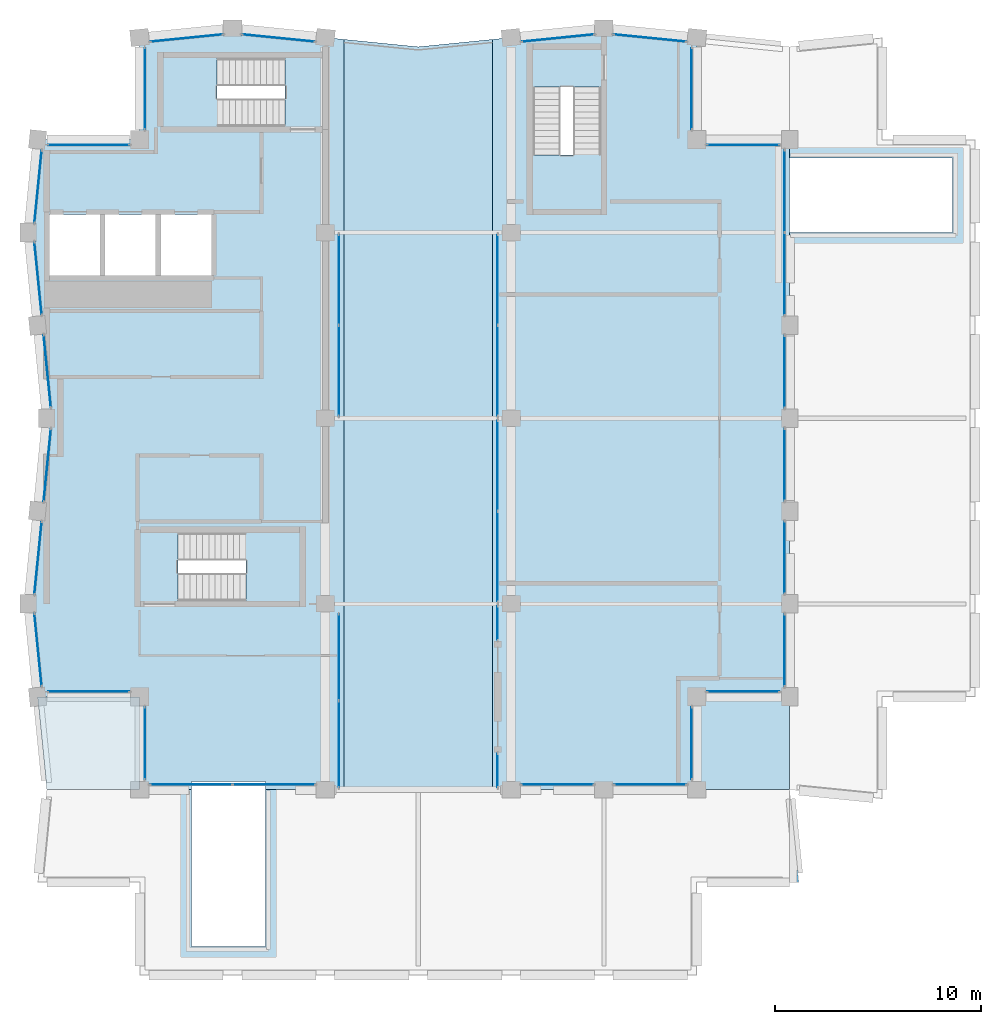
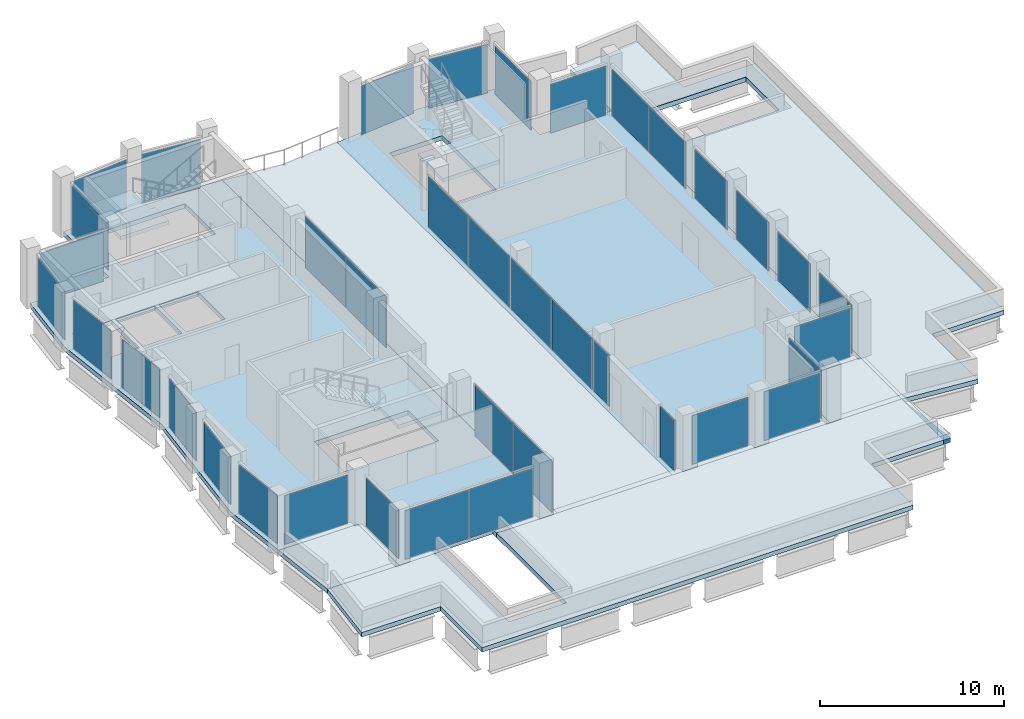
# One storey, part 10 of 14: 38 plates, 11 slabs, 35 elements without a shape of their own.
"""IFC4 building model written with IfcOpenShell, lengths in metres."""

from ifc_helpers import new_model, si_unit, direction, frame, origin, origin_2d, place, context, subcontext, project, spatial, polyline, rectangle, outline, extrude, material, layer, layer_set, type_object, element, aggregate, save


model = new_model("IFC4")

# Units and contexts
model_context = context("Model", 3, precision=1e-05, world=origin(), true_north=direction((0.0, 1.0)))
body_context = subcontext(model_context, "Body", "Model", "MODEL_VIEW")
ifc_project = project(units=[si_unit("LENGTHUNIT", "METRE"), si_unit("AREAUNIT", "SQUARE_METRE"), si_unit("VOLUMEUNIT", "CUBIC_METRE"), si_unit("PLANEANGLEUNIT", "RADIAN"), si_unit("MASSUNIT", "GRAM", prefix="KILO")], contexts=[model_context])

# Site, building, storey
site_placement = place(None, origin())
site = spatial("IfcSite", under=ifc_project, at=site_placement, CompositionType="ELEMENT")
building_placement = place(site_placement, origin())
building = spatial("IfcBuilding", under=site, at=building_placement, Name="Brondeck Convention Tower", CompositionType="ELEMENT")
storey_placement = place(building_placement, frame((0.0, 0.0, 282.800048828125)))
storey = spatial("IfcBuildingStorey", under=building, at=storey_placement, Name="L70", CompositionType="ELEMENT", Elevation=282.800048828125)

# Curtain wall, plate
ifc_material_1 = material(Name="Aluminium, bronze anodised", Category="aluminium")
curtain_wall_type = type_object("IfcCurtainWallType", Name="Crown screen curtain wall", PredefinedType="NOTDEFINED", material=ifc_material_1)
curtain_wall_1_placement = place(storey_placement, origin())
curtain_wall_1 = element("IfcCurtainWall", 1, at=curtain_wall_1_placement, inside=storey, type_object=curtain_wall_type, Name="ENV-CW4-L70-K2-SLOT-E-07-1a", PredefinedType="NOTDEFINED")
ifc_material_2 = material(Name="Bronze tinted laminated glass", Category="glass")
ifc_layer_1 = layer(ifc_material_2, 0.007080078125, Name="Outer pane")
ifc_material_3 = material(Name="Argon-filled cavity")
ifc_layer_2 = layer(ifc_material_3, 0.011962890625, Name="Cavity")
ifc_material_4 = material(Name="Clear low-emissivity glass", Category="glass")
ifc_layer_3 = layer(ifc_material_4, 0.007080078125, Name="Inner pane")
ifc_layer_set_1 = layer_set([ifc_layer_1, ifc_layer_2, ifc_layer_3], Name="CW4 glazing panel")
plate_type = type_object("IfcPlateType", Name="CW4 glazing panel", PredefinedType="CURTAIN_PANEL", material=ifc_layer_set_1)
plate_1_placement = place(storey_placement, frame((21.85009765625, 35.070068359375, 0.06005859375), z_axis=(0.0, 0.0, 1.0), x_axis=(0.0, 1.0, 0.0)))
plate_1 = element("IfcPlate", 2, at=plate_1_placement, type_object=plate_type, Name="CW4 panel 1.1", PredefinedType="CURTAIN_PANEL", context=body_context, shape_type="SweptSolid", body=[
    extrude(rectangle(XDim=1.6201171875, YDim=0.02587890625, at=origin_2d()), origin(), (0.0, 0.0, 1.0), 3.3798828125),
])
aggregate(curtain_wall_1, [plate_1])

curtain_wall_2_placement = place(storey_placement, origin())
curtain_wall_2 = element("IfcCurtainWall", 3, at=curtain_wall_2_placement, inside=storey, type_object=curtain_wall_type, Name="ENV-CW4-L70-K2-SLOT-E-07-1b", PredefinedType="NOTDEFINED")
plate_2_placement = place(storey_placement, frame((21.85009765625, 27.929931640625, 0.06005859375), z_axis=(0.0, 0.0, 1.0), x_axis=(0.0, 1.0, 0.0)))
plate_2 = element("IfcPlate", 4, at=plate_2_placement, type_object=plate_type, Name="CW4 panel 1.1", PredefinedType="CURTAIN_PANEL", context=body_context, shape_type="SweptSolid", body=[
    extrude(rectangle(XDim=1.6201171875, YDim=0.02587890625, at=origin_2d()), origin(), (0.0, 0.0, 1.0), 3.3798828125),
])
aggregate(curtain_wall_2, [plate_2])

# Curtain wall, plates
curtain_wall_3_placement = place(storey_placement, origin())
curtain_wall_3 = element("IfcCurtainWall", 5, at=curtain_wall_3_placement, inside=storey, type_object=curtain_wall_type, Name="ENV-CW4-L70-K1-K-S-02", PredefinedType="NOTDEFINED")
plate_3_placement = place(storey_placement, frame((11.010009765625, 27.25, 0.06005859375), z_axis=(0.0, 0.0, 1.0), x_axis=(-1.0, 0.0, 0.0)))
plate_3 = element("IfcPlate", 6, at=plate_3_placement, type_object=plate_type, Name="CW4 panel 1.1", PredefinedType="CURTAIN_PANEL", context=body_context, shape_type="SweptSolid", body=[
    extrude(rectangle(XDim=3.9599609375, YDim=0.02587890625, at=origin_2d()), origin(), (0.0, 0.0, 1.0), 3.22998046875),
])
plate_4_placement = place(storey_placement, frame((6.989990234375, 27.25, 0.06005859375), z_axis=(0.0, 0.0, 1.0), x_axis=(-1.0, 0.0, 0.0)))
plate_4 = element("IfcPlate", 7, at=plate_4_placement, type_object=plate_type, Name="CW4 panel 2.1", PredefinedType="CURTAIN_PANEL", context=body_context, shape_type="SweptSolid", body=[
    extrude(rectangle(XDim=3.9599609375, YDim=0.02587890625, at=origin_2d()), origin(), (0.0, 0.0, 1.0), 3.22998046875),
])
aggregate(curtain_wall_3, [plate_3, plate_4])

curtain_wall_4_placement = place(storey_placement, origin())
curtain_wall_4 = element("IfcCurtainWall", 8, at=curtain_wall_4_placement, inside=storey, type_object=curtain_wall_type, Name="ENV-CW4-L70-K1-SLOT-W-00-2", PredefinedType="NOTDEFINED")
plate_5_placement = place(storey_placement, frame((14.14990234375, 33.41259765625, 0.06005859375), z_axis=(0.0, 0.0, 1.0), x_axis=(0.0, -1.0, 0.0)))
plate_5 = element("IfcPlate", 9, at=plate_5_placement, type_object=plate_type, Name="CW4 panel 1.1", PredefinedType="CURTAIN_PANEL", context=body_context, shape_type="SweptSolid", body=[
    extrude(rectangle(XDim=4.155029296875, YDim=0.02587890625, at=origin_2d()), origin(), (0.0, 0.0, 1.0), 3.3798828125),
])
plate_6_placement = place(storey_placement, frame((14.14990234375, 29.197509765625, 0.06005859375), z_axis=(0.0, 0.0, 1.0), x_axis=(0.0, -1.0, 0.0)))
plate_6 = element("IfcPlate", 10, at=plate_6_placement, type_object=plate_type, Name="CW4 panel 2.1", PredefinedType="CURTAIN_PANEL", context=body_context, shape_type="SweptSolid", body=[
    extrude(rectangle(XDim=4.155029296875, YDim=0.02587890625, at=origin_2d()), origin(), (0.0, 0.0, 1.0), 3.3798828125),
])
aggregate(curtain_wall_4, [plate_5, plate_6])

curtain_wall_5_placement = place(storey_placement, origin())
curtain_wall_5 = element("IfcCurtainWall", 11, at=curtain_wall_5_placement, inside=storey, type_object=curtain_wall_type, Name="ENV-CW4-L70-K1-SLOT-W-05", PredefinedType="NOTDEFINED")
plate_7_placement = place(storey_placement, frame((14.14990234375, 51.705078125, 0.06005859375), z_axis=(0.0, 0.0, 1.0), x_axis=(0.0, -1.0, 0.0)))
plate_7 = element("IfcPlate", 12, at=plate_7_placement, type_object=plate_type, Name="CW4 panel 1.1", PredefinedType="CURTAIN_PANEL", context=body_context, shape_type="SweptSolid", body=[
    extrude(rectangle(XDim=4.35009765625, YDim=0.02587890625, at=origin_2d()), origin(), (0.0, 0.0, 1.0), 3.3798828125),
])
plate_8_placement = place(storey_placement, frame((14.14990234375, 47.294921875, 0.06005859375), z_axis=(0.0, 0.0, 1.0), x_axis=(0.0, -1.0, 0.0)))
plate_8 = element("IfcPlate", 13, at=plate_8_placement, type_object=plate_type, Name="CW4 panel 2.1", PredefinedType="CURTAIN_PANEL", context=body_context, shape_type="SweptSolid", body=[
    extrude(rectangle(XDim=4.35009765625, YDim=0.02587890625, at=origin_2d()), origin(), (0.0, 0.0, 1.0), 3.3798828125),
])
aggregate(curtain_wall_5, [plate_7, plate_8])

# Curtain wall, plate
curtain_wall_6_placement = place(storey_placement, origin())
curtain_wall_6 = element("IfcCurtainWall", 14, at=curtain_wall_6_placement, inside=storey, type_object=curtain_wall_type, Name="ENV-CW4-L70-K1-A-N-02", PredefinedType="NOTDEFINED")
plate_9_placement = place(storey_placement, frame((11.22509765625, 63.42626953125, 0.06005859375), z_axis=(0.0, 0.0, 1.0), x_axis=(0.995035823513, -0.099517385048, 0.0)))
plate_9 = element("IfcPlate", 15, at=plate_9_placement, type_object=plate_type, Name="CW4 panel 1.1", PredefinedType="CURTAIN_PANEL", context=body_context, shape_type="SweptSolid", body=[
    extrude(rectangle(XDim=3.50244140625, YDim=0.02587890625, at=origin_2d()), origin(), (0.0, 0.0, 1.0), 3.22998046875),
])
aggregate(curtain_wall_6, [plate_9])

curtain_wall_7_placement = place(storey_placement, origin())
curtain_wall_7 = element("IfcCurtainWall", 16, at=curtain_wall_7_placement, inside=storey, type_object=curtain_wall_type, Name="ENV-CW4-L70-K1-A-N-01", PredefinedType="NOTDEFINED")
plate_10_placement = place(storey_placement, frame((6.77490234375, 63.42626953125, 0.06005859375), z_axis=(0.0, 0.0, 1.0), x_axis=(0.995035823513, 0.099517385048, 0.0)))
plate_10 = element("IfcPlate", 17, at=plate_10_placement, type_object=plate_type, Name="CW4 panel 1.1", PredefinedType="CURTAIN_PANEL", context=body_context, shape_type="SweptSolid", body=[
    extrude(rectangle(XDim=3.50244140625, YDim=0.02587890625, at=origin_2d()), origin(), (0.0, 0.0, 1.0), 3.22998046875),
])
aggregate(curtain_wall_7, [plate_10])

curtain_wall_8_placement = place(storey_placement, origin())
curtain_wall_8 = element("IfcCurtainWall", 18, at=curtain_wall_8_placement, inside=storey, type_object=curtain_wall_type, Name="ENV-CW4-L70-K1-NC-NW-01", PredefinedType="NOTDEFINED")
plate_11_placement = place(storey_placement, frame((4.75, 60.97509765625, 0.06005859375), z_axis=(0.0, 0.0, 1.0), x_axis=(0.0, 1.0, 0.0)))
plate_11 = element("IfcPlate", 19, at=plate_11_placement, type_object=plate_type, Name="CW4 panel 1.1", PredefinedType="CURTAIN_PANEL", context=body_context, shape_type="SweptSolid", body=[
    extrude(rectangle(XDim=3.929931640625, YDim=0.02587890625, at=origin_2d()), origin(), (0.0, 0.0, 1.0), 3.22998046875),
])
aggregate(curtain_wall_8, [plate_11])

curtain_wall_9_placement = place(storey_placement, origin())
curtain_wall_9 = element("IfcCurtainWall", 20, at=curtain_wall_9_placement, inside=storey, type_object=curtain_wall_type, Name="ENV-CW4-L70-K1-NC-NW-02", PredefinedType="NOTDEFINED")
plate_12_placement = place(storey_placement, frame((2.02490234375, 58.25, 0.06005859375), z_axis=(0.0, 0.0, 1.0), x_axis=(1.0, 0.0, 0.0)))
plate_12 = element("IfcPlate", 21, at=plate_12_placement, type_object=plate_type, Name="CW4 panel 1.1", PredefinedType="CURTAIN_PANEL", context=body_context, shape_type="SweptSolid", body=[
    extrude(rectangle(XDim=3.929931640625, YDim=0.02587890625, at=origin_2d()), origin(), (0.0, 0.0, 1.0), 3.22998046875),
])
aggregate(curtain_wall_9, [plate_12])

curtain_wall_10_placement = place(storey_placement, origin())
curtain_wall_10 = element("IfcCurtainWall", 22, at=curtain_wall_10_placement, inside=storey, type_object=curtain_wall_type, Name="ENV-CW4-L70-K1-B-W-01", PredefinedType="NOTDEFINED")
plate_13_placement = place(storey_placement, frame((-0.42626953125, 56.22509765625, 0.06005859375), z_axis=(0.0, 0.0, 1.0), x_axis=(0.099517385048, 0.995035823513, 0.0)))
plate_13 = element("IfcPlate", 23, at=plate_13_placement, type_object=plate_type, Name="CW4 panel 1.1", PredefinedType="CURTAIN_PANEL", context=body_context, shape_type="SweptSolid", body=[
    extrude(rectangle(XDim=3.50244140625, YDim=0.02587890625, at=origin_2d()), origin(), (0.0, 0.0, 1.0), 3.22998046875),
])
aggregate(curtain_wall_10, [plate_13])

curtain_wall_11_placement = place(storey_placement, origin())
curtain_wall_11 = element("IfcCurtainWall", 24, at=curtain_wall_11_placement, inside=storey, type_object=curtain_wall_type, Name="ENV-CW4-L70-K1-B-W-02", PredefinedType="NOTDEFINED")
plate_14_placement = place(storey_placement, frame((-0.42626953125, 51.77490234375, 0.06005859375), z_axis=(0.0, 0.0, 1.0), x_axis=(-0.099517385048, 0.995035823513, 0.0)))
plate_14 = element("IfcPlate", 25, at=plate_14_placement, type_object=plate_type, Name="CW4 panel 1.1", PredefinedType="CURTAIN_PANEL", context=body_context, shape_type="SweptSolid", body=[
    extrude(rectangle(XDim=3.50244140625, YDim=0.02587890625, at=origin_2d()), origin(), (0.0, 0.0, 1.0), 3.22998046875),
])
aggregate(curtain_wall_11, [plate_14])

curtain_wall_12_placement = place(storey_placement, origin())
curtain_wall_12 = element("IfcCurtainWall", 26, at=curtain_wall_12_placement, inside=storey, type_object=curtain_wall_type, Name="ENV-CW4-L70-K1-B-W-03", PredefinedType="NOTDEFINED")
plate_15_placement = place(storey_placement, frame((0.023681640625, 47.27490234375, 0.06005859375), z_axis=(0.0, 0.0, 1.0), x_axis=(-0.099517385048, 0.995035823513, 0.0)))
plate_15 = element("IfcPlate", 27, at=plate_15_placement, type_object=plate_type, Name="CW4 panel 1.1", PredefinedType="CURTAIN_PANEL", context=body_context, shape_type="SweptSolid", body=[
    extrude(rectangle(XDim=3.50244140625, YDim=0.02587890625, at=origin_2d()), origin(), (0.0, 0.0, 1.0), 3.22998046875),
])
aggregate(curtain_wall_12, [plate_15])

curtain_wall_13_placement = place(storey_placement, origin())
curtain_wall_13 = element("IfcCurtainWall", 28, at=curtain_wall_13_placement, inside=storey, type_object=curtain_wall_type, Name="ENV-CW4-L70-K1-B-W-04", PredefinedType="NOTDEFINED")
plate_16_placement = place(storey_placement, frame((0.023681640625, 42.72509765625, 0.06005859375), z_axis=(0.0, 0.0, 1.0), x_axis=(0.099517385048, 0.995035823513, 0.0)))
plate_16 = element("IfcPlate", 29, at=plate_16_placement, type_object=plate_type, Name="CW4 panel 1.1", PredefinedType="CURTAIN_PANEL", context=body_context, shape_type="SweptSolid", body=[
    extrude(rectangle(XDim=3.50244140625, YDim=0.02587890625, at=origin_2d()), origin(), (0.0, 0.0, 1.0), 3.22998046875),
])
aggregate(curtain_wall_13, [plate_16])

curtain_wall_14_placement = place(storey_placement, origin())
curtain_wall_14 = element("IfcCurtainWall", 30, at=curtain_wall_14_placement, inside=storey, type_object=curtain_wall_type, Name="ENV-CW4-L70-K1-B-W-05", PredefinedType="NOTDEFINED")
plate_17_placement = place(storey_placement, frame((-0.42626953125, 38.22509765625, 0.06005859375), z_axis=(0.0, 0.0, 1.0), x_axis=(0.099517385048, 0.995035823513, 0.0)))
plate_17 = element("IfcPlate", 31, at=plate_17_placement, type_object=plate_type, Name="CW4 panel 1.1", PredefinedType="CURTAIN_PANEL", context=body_context, shape_type="SweptSolid", body=[
    extrude(rectangle(XDim=3.50244140625, YDim=0.02587890625, at=origin_2d()), origin(), (0.0, 0.0, 1.0), 3.22998046875),
])
aggregate(curtain_wall_14, [plate_17])

curtain_wall_15_placement = place(storey_placement, origin())
curtain_wall_15 = element("IfcCurtainWall", 32, at=curtain_wall_15_placement, inside=storey, type_object=curtain_wall_type, Name="ENV-CW4-L70-K1-B-W-06", PredefinedType="NOTDEFINED")
plate_18_placement = place(storey_placement, frame((-0.42626953125, 33.77490234375, 0.06005859375), z_axis=(0.0, 0.0, 1.0), x_axis=(-0.099517385048, 0.995035823513, 0.0)))
plate_18 = element("IfcPlate", 33, at=plate_18_placement, type_object=plate_type, Name="CW4 panel 1.1", PredefinedType="CURTAIN_PANEL", context=body_context, shape_type="SweptSolid", body=[
    extrude(rectangle(XDim=3.50244140625, YDim=0.02587890625, at=origin_2d()), origin(), (0.0, 0.0, 1.0), 3.22998046875),
])
aggregate(curtain_wall_15, [plate_18])

curtain_wall_16_placement = place(storey_placement, origin())
curtain_wall_16 = element("IfcCurtainWall", 34, at=curtain_wall_16_placement, inside=storey, type_object=curtain_wall_type, Name="ENV-CW4-L70-K1-NC-KSW-01", PredefinedType="NOTDEFINED")
plate_19_placement = place(storey_placement, frame((2.02490234375, 31.75, 0.06005859375), z_axis=(0.0, 0.0, 1.0), x_axis=(-1.0, 0.0, 0.0)))
plate_19 = element("IfcPlate", 35, at=plate_19_placement, type_object=plate_type, Name="CW4 panel 1.1", PredefinedType="CURTAIN_PANEL", context=body_context, shape_type="SweptSolid", body=[
    extrude(rectangle(XDim=3.929931640625, YDim=0.02587890625, at=origin_2d()), origin(), (0.0, 0.0, 1.0), 3.22998046875),
])
aggregate(curtain_wall_16, [plate_19])

curtain_wall_17_placement = place(storey_placement, origin())
curtain_wall_17 = element("IfcCurtainWall", 36, at=curtain_wall_17_placement, inside=storey, type_object=curtain_wall_type, Name="ENV-CW4-L70-K1-NC-KSW-02", PredefinedType="NOTDEFINED")
plate_20_placement = place(storey_placement, frame((4.75, 29.25, 0.06005859375), z_axis=(0.0, 0.0, 1.0), x_axis=(0.0, 1.0, 0.0)))
plate_20 = element("IfcPlate", 37, at=plate_20_placement, type_object=plate_type, Name="CW4 panel 1.1", PredefinedType="CURTAIN_PANEL", context=body_context, shape_type="SweptSolid", body=[
    extrude(rectangle(XDim=3.47998046875, YDim=0.02587890625, at=origin_2d()), origin(), (0.0, 0.0, 1.0), 3.22998046875),
])
aggregate(curtain_wall_17, [plate_20])

curtain_wall_18_placement = place(storey_placement, origin())
curtain_wall_18 = element("IfcCurtainWall", 38, at=curtain_wall_18_placement, inside=storey, type_object=curtain_wall_type, Name="ENV-CW4-L70-K2-K-S-00", PredefinedType="NOTDEFINED")
plate_21_placement = place(storey_placement, frame((24.75, 27.25, 0.06005859375), z_axis=(0.0, 0.0, 1.0), x_axis=(-1.0, 0.0, 0.0)))
plate_21 = element("IfcPlate", 39, at=plate_21_placement, type_object=plate_type, Name="CW4 panel 1.1", PredefinedType="CURTAIN_PANEL", context=body_context, shape_type="SweptSolid", body=[
    extrude(rectangle(XDim=3.47998046875, YDim=0.02587890625, at=origin_2d()), origin(), (0.0, 0.0, 1.0), 3.22998046875),
])
aggregate(curtain_wall_18, [plate_21])

curtain_wall_19_placement = place(storey_placement, origin())
curtain_wall_19 = element("IfcCurtainWall", 40, at=curtain_wall_19_placement, inside=storey, type_object=curtain_wall_type, Name="ENV-CW4-L70-K2-K-S-01", PredefinedType="NOTDEFINED")
plate_22_placement = place(storey_placement, frame((29.25, 27.25, 0.06005859375), z_axis=(0.0, 0.0, 1.0), x_axis=(-1.0, 0.0, 0.0)))
plate_22 = element("IfcPlate", 41, at=plate_22_placement, type_object=plate_type, Name="CW4 panel 1.1", PredefinedType="CURTAIN_PANEL", context=body_context, shape_type="SweptSolid", body=[
    extrude(rectangle(XDim=3.47998046875, YDim=0.02587890625, at=origin_2d()), origin(), (0.0, 0.0, 1.0), 3.22998046875),
])
aggregate(curtain_wall_19, [plate_22])

curtain_wall_20_placement = place(storey_placement, origin())
curtain_wall_20 = element("IfcCurtainWall", 42, at=curtain_wall_20_placement, inside=storey, type_object=curtain_wall_type, Name="ENV-CW4-L70-K2-NC-KSE-01", PredefinedType="NOTDEFINED")
plate_23_placement = place(storey_placement, frame((31.25, 29.25, 0.06005859375), z_axis=(0.0, 0.0, 1.0), x_axis=(0.0, -1.0, 0.0)))
plate_23 = element("IfcPlate", 43, at=plate_23_placement, type_object=plate_type, Name="CW4 panel 1.1", PredefinedType="CURTAIN_PANEL", context=body_context, shape_type="SweptSolid", body=[
    extrude(rectangle(XDim=3.47998046875, YDim=0.02587890625, at=origin_2d()), origin(), (0.0, 0.0, 1.0), 3.22998046875),
])
aggregate(curtain_wall_20, [plate_23])

curtain_wall_21_placement = place(storey_placement, origin())
curtain_wall_21 = element("IfcCurtainWall", 44, at=curtain_wall_21_placement, inside=storey, type_object=curtain_wall_type, Name="ENV-CW4-L70-K2-NC-KSE-02", PredefinedType="NOTDEFINED")
plate_24_placement = place(storey_placement, frame((33.75, 31.75, 0.06005859375), z_axis=(0.0, 0.0, 1.0), x_axis=(-1.0, 0.0, 0.0)))
plate_24 = element("IfcPlate", 45, at=plate_24_placement, type_object=plate_type, Name="CW4 panel 1.1", PredefinedType="CURTAIN_PANEL", context=body_context, shape_type="SweptSolid", body=[
    extrude(rectangle(XDim=3.47998046875, YDim=0.02587890625, at=origin_2d()), origin(), (0.0, 0.0, 1.0), 3.22998046875),
])
aggregate(curtain_wall_21, [plate_24])

curtain_wall_22_placement = place(storey_placement, origin())
curtain_wall_22 = element("IfcCurtainWall", 46, at=curtain_wall_22_placement, inside=storey, type_object=curtain_wall_type, Name="ENV-CW4-L70-K2-K-E-01", PredefinedType="NOTDEFINED")
plate_25_placement = place(storey_placement, frame((35.75, 33.75, 0.06005859375), z_axis=(0.0, 0.0, 1.0), x_axis=(0.0, -1.0, 0.0)))
plate_25 = element("IfcPlate", 47, at=plate_25_placement, type_object=plate_type, Name="CW4 panel 1.1", PredefinedType="CURTAIN_PANEL", context=body_context, shape_type="SweptSolid", body=[
    extrude(rectangle(XDim=3.47998046875, YDim=0.02587890625, at=origin_2d()), origin(), (0.0, 0.0, 1.0), 3.22998046875),
])
aggregate(curtain_wall_22, [plate_25])

curtain_wall_23_placement = place(storey_placement, origin())
curtain_wall_23 = element("IfcCurtainWall", 48, at=curtain_wall_23_placement, inside=storey, type_object=curtain_wall_type, Name="ENV-CW4-L70-K2-K-E-02", PredefinedType="NOTDEFINED")
plate_26_placement = place(storey_placement, frame((35.75, 38.25, 0.06005859375), z_axis=(0.0, 0.0, 1.0), x_axis=(0.0, -1.0, 0.0)))
plate_26 = element("IfcPlate", 49, at=plate_26_placement, type_object=plate_type, Name="CW4 panel 1.1", PredefinedType="CURTAIN_PANEL", context=body_context, shape_type="SweptSolid", body=[
    extrude(rectangle(XDim=3.47998046875, YDim=0.02587890625, at=origin_2d()), origin(), (0.0, 0.0, 1.0), 3.22998046875),
])
aggregate(curtain_wall_23, [plate_26])

curtain_wall_24_placement = place(storey_placement, origin())
curtain_wall_24 = element("IfcCurtainWall", 50, at=curtain_wall_24_placement, inside=storey, type_object=curtain_wall_type, Name="ENV-CW4-L70-K2-K-E-03", PredefinedType="NOTDEFINED")
plate_27_placement = place(storey_placement, frame((35.75, 42.75, 0.06005859375), z_axis=(0.0, 0.0, 1.0), x_axis=(0.0, -1.0, 0.0)))
plate_27 = element("IfcPlate", 51, at=plate_27_placement, type_object=plate_type, Name="CW4 panel 1.1", PredefinedType="CURTAIN_PANEL", context=body_context, shape_type="SweptSolid", body=[
    extrude(rectangle(XDim=3.47998046875, YDim=0.02587890625, at=origin_2d()), origin(), (0.0, 0.0, 1.0), 3.22998046875),
])
aggregate(curtain_wall_24, [plate_27])

curtain_wall_25_placement = place(storey_placement, origin())
curtain_wall_25 = element("IfcCurtainWall", 52, at=curtain_wall_25_placement, inside=storey, type_object=curtain_wall_type, Name="ENV-CW4-L70-K2-K-E-04", PredefinedType="NOTDEFINED")
plate_28_placement = place(storey_placement, frame((35.75, 47.25, 0.06005859375), z_axis=(0.0, 0.0, 1.0), x_axis=(0.0, -1.0, 0.0)))
plate_28 = element("IfcPlate", 53, at=plate_28_placement, type_object=plate_type, Name="CW4 panel 1.1", PredefinedType="CURTAIN_PANEL", context=body_context, shape_type="SweptSolid", body=[
    extrude(rectangle(XDim=3.47998046875, YDim=0.02587890625, at=origin_2d()), origin(), (0.0, 0.0, 1.0), 3.22998046875),
])
aggregate(curtain_wall_25, [plate_28])

# Curtain wall, plates
curtain_wall_26_placement = place(storey_placement, origin())
curtain_wall_26 = element("IfcCurtainWall", 54, at=curtain_wall_26_placement, inside=storey, type_object=curtain_wall_type, Name="ENV-CW4-L70-K2-K-E-06", PredefinedType="NOTDEFINED")
plate_29_placement = place(storey_placement, frame((35.75, 56.010009765625, 0.059814453125), z_axis=(0.0, 0.0, 1.0), x_axis=(0.0, -1.0, 0.0)))
plate_29 = element("IfcPlate", 55, at=plate_29_placement, type_object=plate_type, Name="CW4 panel 1.1", PredefinedType="CURTAIN_PANEL", context=body_context, shape_type="SweptSolid", body=[
    extrude(rectangle(XDim=3.9599609375, YDim=0.02587890625, at=origin_2d()), origin(), (0.0, 0.0, 1.0), 3.080078125),
])
plate_30_placement = place(storey_placement, frame((35.75, 51.989990234375, 0.059814453125), z_axis=(0.0, 0.0, 1.0), x_axis=(0.0, -1.0, 0.0)))
plate_30 = element("IfcPlate", 56, at=plate_30_placement, type_object=plate_type, Name="CW4 panel 2.1", PredefinedType="CURTAIN_PANEL", context=body_context, shape_type="SweptSolid", body=[
    extrude(rectangle(XDim=3.9599609375, YDim=0.02587890625, at=origin_2d()), origin(), (0.0, 0.0, 1.0), 3.080078125),
])
aggregate(curtain_wall_26, [plate_29, plate_30])

# Curtain wall, plate
curtain_wall_27_placement = place(storey_placement, origin())
curtain_wall_27 = element("IfcCurtainWall", 57, at=curtain_wall_27_placement, inside=storey, type_object=curtain_wall_type, Name="ENV-CW4-L70-K2-NC-KNE-01", PredefinedType="NOTDEFINED")
plate_31_placement = place(storey_placement, frame((33.75, 58.25, 0.06005859375), z_axis=(0.0, 0.0, 1.0), x_axis=(1.0, 0.0, 0.0)))
plate_31 = element("IfcPlate", 58, at=plate_31_placement, type_object=plate_type, Name="CW4 panel 1.1", PredefinedType="CURTAIN_PANEL", context=body_context, shape_type="SweptSolid", body=[
    extrude(rectangle(XDim=3.47998046875, YDim=0.02587890625, at=origin_2d()), origin(), (0.0, 0.0, 1.0), 3.22998046875),
])
aggregate(curtain_wall_27, [plate_31])

curtain_wall_28_placement = place(storey_placement, origin())
curtain_wall_28 = element("IfcCurtainWall", 59, at=curtain_wall_28_placement, inside=storey, type_object=curtain_wall_type, Name="ENV-CW4-L70-K2-NC-KNE-02", PredefinedType="NOTDEFINED")
plate_32_placement = place(storey_placement, frame((31.25, 60.97509765625, 0.06005859375), z_axis=(0.0, 0.0, 1.0), x_axis=(0.0, -1.0, 0.0)))
plate_32 = element("IfcPlate", 60, at=plate_32_placement, type_object=plate_type, Name="CW4 panel 1.1", PredefinedType="CURTAIN_PANEL", context=body_context, shape_type="SweptSolid", body=[
    extrude(rectangle(XDim=3.929931640625, YDim=0.02587890625, at=origin_2d()), origin(), (0.0, 0.0, 1.0), 3.22998046875),
])
aggregate(curtain_wall_28, [plate_32])

curtain_wall_29_placement = place(storey_placement, origin())
curtain_wall_29 = element("IfcCurtainWall", 61, at=curtain_wall_29_placement, inside=storey, type_object=curtain_wall_type, Name="ENV-CW4-L70-K2-A-N-06", PredefinedType="NOTDEFINED")
plate_33_placement = place(storey_placement, frame((29.22509765625, 63.42626953125, 0.06005859375), z_axis=(0.0, 0.0, 1.0), x_axis=(0.995035823513, -0.099517385048, 0.0)))
plate_33 = element("IfcPlate", 62, at=plate_33_placement, type_object=plate_type, Name="CW4 panel 1.1", PredefinedType="CURTAIN_PANEL", context=body_context, shape_type="SweptSolid", body=[
    extrude(rectangle(XDim=3.50244140625, YDim=0.02587890625, at=origin_2d()), origin(), (0.0, 0.0, 1.0), 3.22998046875),
])
aggregate(curtain_wall_29, [plate_33])

curtain_wall_30_placement = place(storey_placement, origin())
curtain_wall_30 = element("IfcCurtainWall", 63, at=curtain_wall_30_placement, inside=storey, type_object=curtain_wall_type, Name="ENV-CW4-L70-K2-A-N-05", PredefinedType="NOTDEFINED")
plate_34_placement = place(storey_placement, frame((24.77490234375, 63.42626953125, 0.06005859375), z_axis=(0.0, 0.0, 1.0), x_axis=(0.995035823513, 0.099517385048, 0.0)))
plate_34 = element("IfcPlate", 64, at=plate_34_placement, type_object=plate_type, Name="CW4 panel 1.1", PredefinedType="CURTAIN_PANEL", context=body_context, shape_type="SweptSolid", body=[
    extrude(rectangle(XDim=3.50244140625, YDim=0.02587890625, at=origin_2d()), origin(), (0.0, 0.0, 1.0), 3.22998046875),
])
aggregate(curtain_wall_30, [plate_34])

# Curtain wall, plates
curtain_wall_31_placement = place(storey_placement, origin())
curtain_wall_31 = element("IfcCurtainWall", 65, at=curtain_wall_31_placement, inside=storey, type_object=curtain_wall_type, Name="ENV-CW4-L70-K2-SLOT-E-03", PredefinedType="NOTDEFINED")
plate_35_placement = place(storey_placement, frame((21.85009765625, 47.294921875, 0.06005859375), z_axis=(0.0, 0.0, 1.0), x_axis=(0.0, 1.0, 0.0)))
plate_35 = element("IfcPlate", 66, at=plate_35_placement, type_object=plate_type, Name="CW4 panel 1.1", PredefinedType="CURTAIN_PANEL", context=body_context, shape_type="SweptSolid", body=[
    extrude(rectangle(XDim=4.35009765625, YDim=0.02587890625, at=origin_2d()), origin(), (0.0, 0.0, 1.0), 3.3798828125),
])
plate_36_placement = place(storey_placement, frame((21.85009765625, 51.705078125, 0.06005859375), z_axis=(0.0, 0.0, 1.0), x_axis=(0.0, 1.0, 0.0)))
plate_36 = element("IfcPlate", 67, at=plate_36_placement, type_object=plate_type, Name="CW4 panel 2.1", PredefinedType="CURTAIN_PANEL", context=body_context, shape_type="SweptSolid", body=[
    extrude(rectangle(XDim=4.35009765625, YDim=0.02587890625, at=origin_2d()), origin(), (0.0, 0.0, 1.0), 3.3798828125),
])
aggregate(curtain_wall_31, [plate_35, plate_36])

curtain_wall_32_placement = place(storey_placement, origin())
curtain_wall_32 = element("IfcCurtainWall", 68, at=curtain_wall_32_placement, inside=storey, type_object=curtain_wall_type, Name="ENV-CW4-L70-K2-SLOT-E-05", PredefinedType="NOTDEFINED")
plate_37_placement = place(storey_placement, frame((21.85009765625, 38.294921875, 0.06005859375), z_axis=(0.0, 0.0, 1.0), x_axis=(0.0, 1.0, 0.0)))
plate_37 = element("IfcPlate", 69, at=plate_37_placement, type_object=plate_type, Name="CW4 panel 1.1", PredefinedType="CURTAIN_PANEL", context=body_context, shape_type="SweptSolid", body=[
    extrude(rectangle(XDim=4.35009765625, YDim=0.02587890625, at=origin_2d()), origin(), (0.0, 0.0, 1.0), 3.3798828125),
])
plate_38_placement = place(storey_placement, frame((21.85009765625, 42.705078125, 0.06005859375), z_axis=(0.0, 0.0, 1.0), x_axis=(0.0, 1.0, 0.0)))
plate_38 = element("IfcPlate", 70, at=plate_38_placement, type_object=plate_type, Name="CW4 panel 2.1", PredefinedType="CURTAIN_PANEL", context=body_context, shape_type="SweptSolid", body=[
    extrude(rectangle(XDim=4.35009765625, YDim=0.02587890625, at=origin_2d()), origin(), (0.0, 0.0, 1.0), 3.3798828125),
])
aggregate(curtain_wall_32, [plate_37, plate_38])

# Slabs
ifc_material_5 = material(Name="Concrete C35/45", Category="concrete")
ifc_layer_4 = layer(ifc_material_5, 0.300048828125)
ifc_layer_set_2 = layer_set([ifc_layer_4], Name="Composite floor slab 300")
slab_type_1 = type_object("IfcSlabType", Name="Composite floor slab 300", PredefinedType="FLOOR", material=ifc_layer_set_2)
slab_1_placement = place(storey_placement, frame((0.0, 0.0, -0.300048828125)))
element("IfcSlab", 71, at=slab_1_placement, inside=storey, type_object=slab_type_1, Name="STR-SL-L70-P1", PredefinedType="FLOOR", context=body_context, shape_type="SweptSolid", body=[
    extrude(outline(polyline([(4.5, 27.0), (4.5, 31.5), (-0.449951171875, 31.5), (-0.89990234375, 36.0), (0.0, 45.0), (-0.89990234375, 54.0), (-0.449951171875, 58.5), (4.5, 58.5), (4.5, 63.449951171875), (9.0, 63.89990234375), (14.39990234375, 63.360107421875), (14.39990234375, 63.0), (14.39990234375, 27.0), (10.60009765625, 27.0), (10.60009765625, 27.39990234375), (7.0, 27.39990234375), (7.0, 27.0), (4.5, 27.0)]), holes=[polyline([(12.248046875, 39.447998046875), (6.35205078125, 39.447998046875), (6.35205078125, 36.152099609375), (12.248046875, 36.152099609375), (12.248046875, 39.447998046875)]), polyline([(2.574951171875, 54.875), (0.125, 54.875), (0.125, 51.925048828125), (2.574951171875, 51.925048828125), (2.574951171875, 54.875)]), polyline([(5.27490234375, 54.875), (2.824951171875, 54.875), (2.824951171875, 51.925048828125), (5.27490234375, 51.925048828125), (5.27490234375, 54.875)]), polyline([(7.97509765625, 54.875), (5.52490234375, 54.875), (5.52490234375, 51.925048828125), (7.97509765625, 51.925048828125), (7.97509765625, 54.875)]), polyline([(5.652099609375, 59.152099609375), (11.548095703125, 59.152099609375), (11.548095703125, 62.447998046875), (5.652099609375, 62.447998046875), (5.652099609375, 59.152099609375)])]), origin(), (0.0, 0.0, 1.0), 0.300048828125),
])
slab_2_placement = place(storey_placement, frame((0.0, 0.0, -0.300048828125)))
element("IfcSlab", 72, at=slab_2_placement, inside=storey, type_object=slab_type_1, Name="STR-SL-L70-P2", PredefinedType="FLOOR", context=body_context, shape_type="SweptSolid", body=[
    extrude(outline(polyline([(21.60009765625, 63.0), (21.60009765625, 63.360107421875), (27.0, 63.89990234375), (31.5, 63.449951171875), (31.5, 58.5), (36.0, 58.5), (36.0, 31.5), (31.5, 31.5), (31.5, 27.0), (21.60009765625, 27.0), (21.60009765625, 63.0)]), holes=[polyline([(26.847900390625, 55.152099609375), (26.847900390625, 61.048095703125), (23.552001953125, 61.048095703125), (23.552001953125, 55.152099609375), (26.847900390625, 55.152099609375)])]), origin(), (0.0, 0.0, 1.0), 0.300048828125),
])

# Stair, slab
ifc_material_6 = material(Name="Precast concrete C50/60", Category="concrete")
stair_type = type_object("IfcStairType", Name="Core stair 24 risers 166.67 mm riser 300 mm going 1350 wide", PredefinedType="HALF_TURN_STAIR", material=ifc_material_6)
stair_1_placement = place(storey_placement, origin())
stair_1 = element("IfcStair", 73, at=stair_1_placement, inside=storey, type_object=stair_type, Name="ST-1 L70 stair", PredefinedType="HALF_TURN_STAIR")
ifc_layer_5 = layer(ifc_material_6, 0.25)
ifc_layer_set_3 = layer_set([ifc_layer_5], Name="Core stair landing 250 Precast concrete C50/60")
slab_type_2 = type_object("IfcSlabType", Name="Core stair landing 250 Precast concrete C50/60", PredefinedType="LANDING", material=ifc_layer_set_3)
slab_3_placement = place(storey_placement, frame((0.0, 0.0, 1.75)))
slab_3 = element("IfcSlab", 74, at=slab_3_placement, type_object=slab_type_2, Name="ST-1 landing 1", PredefinedType="LANDING", context=body_context, shape_type="SweptSolid", body=[
    extrude(outline(polyline([(9.64794921875, 37.5), (9.64990234375, 37.5), (9.64990234375, 38.10009765625), (9.35009765625, 38.10009765625), (9.35009765625, 39.570068359375), (12.3701171875, 39.570068359375), (12.3701171875, 36.030029296875), (9.64794921875, 36.030029296875), (9.64794921875, 37.5)])), origin(), (0.0, 0.0, 1.0), 0.25),
])
aggregate(stair_1, [slab_3])

stair_2_placement = place(storey_placement, origin())
stair_2 = element("IfcStair", 75, at=stair_2_placement, inside=storey, type_object=stair_type, Name="ST-2 L70 stair", PredefinedType="HALF_TURN_STAIR")
slab_4_placement = place(storey_placement, frame((0.0, 0.0, 1.75)))
slab_4 = element("IfcSlab", 76, at=slab_4_placement, type_object=slab_type_2, Name="ST-2 landing 1", PredefinedType="LANDING", context=body_context, shape_type="SweptSolid", body=[
    extrude(outline(polyline([(23.429931640625, 57.751953125), (24.89990234375, 57.751953125), (24.89990234375, 57.75), (25.5, 57.75), (25.5, 58.050048828125), (26.969970703125, 58.050048828125), (26.969970703125, 55.030029296875), (23.429931640625, 55.030029296875), (23.429931640625, 57.751953125)])), origin(), (0.0, 0.0, 1.0), 0.25),
])
aggregate(stair_2, [slab_4])

stair_3_placement = place(storey_placement, origin())
stair_3 = element("IfcStair", 77, at=stair_3_placement, inside=storey, type_object=stair_type, Name="ST-3 L70 stair", PredefinedType="HALF_TURN_STAIR")
slab_5_placement = place(storey_placement, frame((0.0, 0.0, 1.75)))
slab_5 = element("IfcSlab", 78, at=slab_5_placement, type_object=slab_type_2, Name="ST-3 landing 1", PredefinedType="LANDING", context=body_context, shape_type="SweptSolid", body=[
    extrude(outline(polyline([(8.550048828125, 60.5), (8.550048828125, 59.030029296875), (5.530029296875, 59.030029296875), (5.530029296875, 62.570068359375), (8.251953125, 62.570068359375), (8.251953125, 61.10009765625), (8.25, 61.10009765625), (8.25, 60.5), (8.550048828125, 60.5)])), origin(), (0.0, 0.0, 1.0), 0.25),
])
aggregate(stair_3, [slab_5])

# Slabs
ifc_layer_6 = layer(ifc_material_5, 0.300048828125)
ifc_layer_set_4 = layer_set([ifc_layer_6], Name="Roof slab, terrace and crown")
slab_type_3 = type_object("IfcSlabType", Name="Roof slab, terrace and crown", PredefinedType="ROOF", material=ifc_layer_set_4)
slab_6_placement = place(storey_placement, frame((0.0, 0.0, -0.300048828125)))
element("IfcSlab", 79, at=slab_6_placement, inside=storey, type_object=slab_type_3, Name="ENV-S4-A-SL1", PredefinedType="ROOF", context=body_context, shape_type="SweptSolid", body=[
    extrude(outline(polyline([(36.0, 31.5), (36.0, 27.0), (40.5, 26.550048828125), (40.5, 27.0), (40.5, 31.5), (45.0, 31.5), (45.0, 58.5), (40.5, 58.5), (40.5, 63.449951171875), (36.0, 63.0), (36.0, 58.5), (36.0, 57.60009765625), (43.89990234375, 57.60009765625), (43.89990234375, 54.0), (36.0, 54.0), (36.0, 31.5)])), origin(), (0.0, 0.0, 1.0), 0.300048828125),
])
slab_7_placement = place(storey_placement, frame((0.0, 0.0, -0.300048828125)))
element("IfcSlab", 80, at=slab_7_placement, inside=storey, type_object=slab_type_3, Name="ENV-S4-A-SL2", PredefinedType="ROOF", context=body_context, shape_type="SweptSolid", body=[
    extrude(outline(polyline([(36.449951171875, 22.5), (36.0, 27.0), (36.0, 22.5), (36.449951171875, 22.5)])), origin(), (0.0, 0.0, 1.0), 0.300048828125),
])
slab_8_placement = place(storey_placement, frame((0.0, 0.0, -0.300048828125)))
element("IfcSlab", 81, at=slab_8_placement, inside=storey, type_object=slab_type_3, Name="ENV-S4-B-SL", PredefinedType="ROOF", context=body_context, shape_type="SweptSolid", body=[
    extrude(outline(polyline([(31.5, 18.0), (31.5, 22.5), (36.0, 22.5), (36.0, 27.0), (31.5, 27.0), (21.60009765625, 27.0), (14.39990234375, 27.0), (10.60009765625, 27.0), (10.60009765625, 19.39990234375), (7.0, 19.39990234375), (7.0, 27.0), (4.5, 27.0), (0.0, 27.0), (-0.449951171875, 22.5), (4.5, 22.5), (4.5, 18.0), (31.5, 18.0)])), origin(), (0.0, 0.0, 1.0), 0.300048828125),
])
slab_9_placement = place(storey_placement, frame((0.0, 0.0, -0.300048828125)))
element("IfcSlab", 82, at=slab_9_placement, inside=storey, type_object=slab_type_3, Name="ENV-S4-SLOT-SL", PredefinedType="ROOF", context=body_context, shape_type="SweptSolid", body=[
    extrude(outline(polyline([(14.39990234375, 63.360107421875), (14.39990234375, 63.0), (14.39990234375, 27.0), (21.60009765625, 27.0), (21.60009765625, 63.0), (21.60009765625, 63.360107421875), (18.0, 63.0), (14.39990234375, 63.360107421875)])), origin(), (0.0, 0.0, 1.0), 0.300048828125),
])
slab_10_placement = place(storey_placement, frame((0.0, 0.0, -0.300048828125)))
element("IfcSlab", 83, at=slab_10_placement, inside=storey, type_object=slab_type_3, Name="ENV-S4-C1-SL", PredefinedType="ROOF", context=body_context, shape_type="SweptSolid", body=[
    extrude(outline(polyline([(4.5, 31.5), (-0.449951171875, 31.5), (0.0, 27.0), (4.5, 27.0), (4.5, 31.5)])), origin(), (0.0, 0.0, 1.0), 0.300048828125),
])
slab_11_placement = place(storey_placement, frame((0.0, 0.0, -0.300048828125)))
element("IfcSlab", 84, at=slab_11_placement, inside=storey, type_object=slab_type_3, Name="ENV-S4-C3-SL", PredefinedType="ROOF", context=body_context, shape_type="SweptSolid", body=[
    extrude(outline(polyline([(36.0, 27.0), (36.0, 31.5), (31.5, 31.5), (31.5, 27.0), (36.0, 27.0)])), origin(), (0.0, 0.0, 1.0), 0.300048828125),
])

save(model, "model.ifc")
